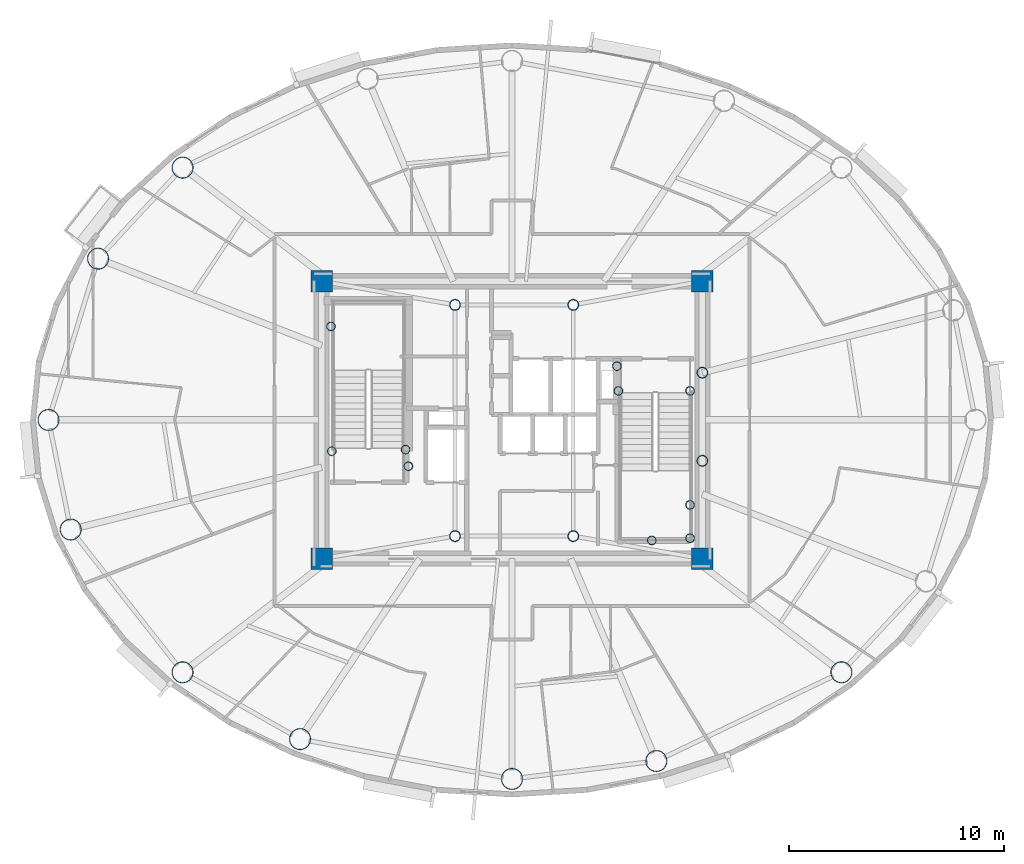
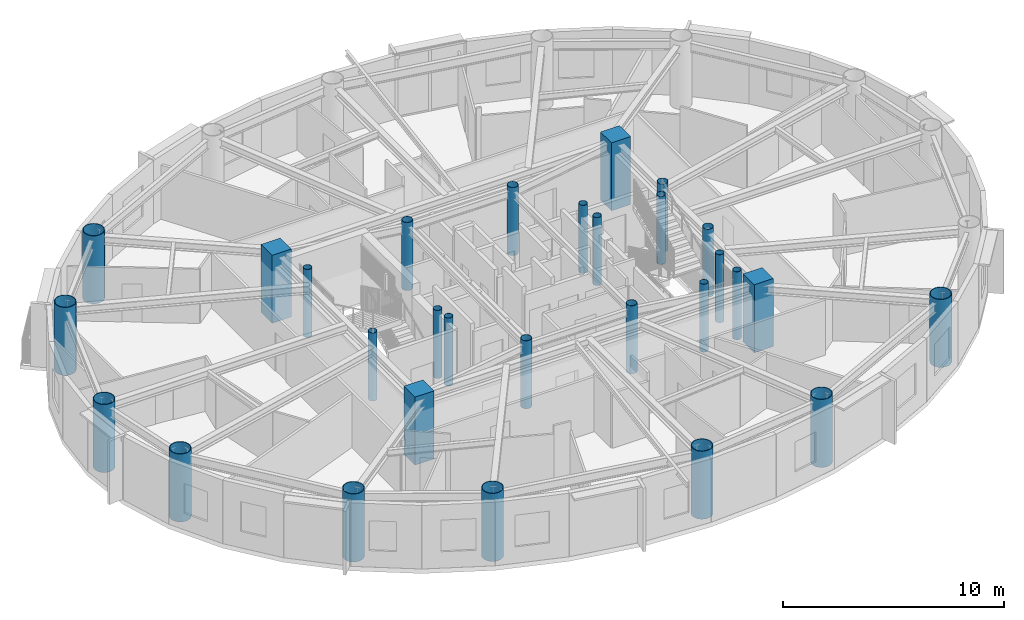
# One storey, part 1 of 17: 29 columns.
"""IFC4 building model written with IfcOpenShell, lengths in metres."""

from ifc_helpers import new_model, si_unit, direction, frame, origin, origin_2d, place, context, subcontext, project, spatial, rectangle, hollow_circle, extrude, material, material_profile, profile_set, type_object, element, save


model = new_model("IFC4")

# Units and contexts
model_context = context("Model", 3, precision=1e-05, world=origin(), true_north=direction((0.0, 1.0)))
body_context = subcontext(model_context, "Body", "Model", "MODEL_VIEW")
ifc_project = project(units=[si_unit("LENGTHUNIT", "METRE"), si_unit("AREAUNIT", "SQUARE_METRE"), si_unit("VOLUMEUNIT", "CUBIC_METRE"), si_unit("PLANEANGLEUNIT", "RADIAN"), si_unit("MASSUNIT", "GRAM", prefix="KILO")], contexts=[model_context])

# Site, building, storey
site_placement = place(None, origin())
site = spatial("IfcSite", under=ifc_project, at=site_placement, CompositionType="ELEMENT")
building_placement = place(site_placement, origin())
building = spatial("IfcBuilding", under=site, at=building_placement, Name="Linh Dai School and Residence Tower", CompositionType="ELEMENT")
storey_placement = place(building_placement, frame((0.0, 0.0, 284.25)))
storey = spatial("IfcBuildingStorey", under=building, at=storey_placement, Name="L70", CompositionType="ELEMENT", Elevation=284.25)

# Columns
ifc_material_1 = material(Name="Concrete B45 (C35/45)", Category="concrete")
ifc_material_profile_1 = material_profile(ifc_material_1, rectangle(XDim=1.0, YDim=1.0, at=origin_2d()), Name="RC 1000x1000")
ifc_profile_set_1 = profile_set([ifc_material_profile_1], Name="Concrete B45 (C35/45)")
column_type_1 = type_object("IfcColumnType", Name="COL-CC3", PredefinedType="COLUMN", material=ifc_profile_set_1)
for number, where, z_axis, x_axis, name in (
    (1, (27.14990234375, 20.550048828125, 0.0), (0.0, 0.0, 1.0), (1.0, 0.0, 0.0), "L70 Core Corner Pier CC1"),
    (2, (44.85009765625, 20.550048828125, 0.0), (0.0, 0.0, 1.0), (1.0, 0.0, 0.0), "L70 Core Corner Pier CC2"),
    (3, (44.85009765625, 33.449951171875, 0.0), (0.0, 0.0, 1.0), (1.0, 0.0, 0.0), "L70 Core Corner Pier CC3"),
    (4, (27.14990234375, 33.449951171875, 0.0), (0.0, 0.0, 1.0), (1.0, 0.0, 0.0), "L70 Core Corner Pier CC4"),
):
    element("IfcColumn", number, at=place(storey_placement, frame(where, z_axis=z_axis, x_axis=x_axis)), inside=storey, type_object=column_type_1, Name=name, PredefinedType="COLUMN", context=body_context, shape_type="SweptSolid", body=[
        extrude(rectangle(XDim=1.0, YDim=1.0, at=origin_2d()), origin(), (0.0, 0.0, 1.0), 3.75),
    ])
ifc_material_2 = material(Name="Structural Steel S355JR", Category="steel")
ifc_material_profile_2 = material_profile(ifc_material_2, hollow_circle(Radius=0.203125, WallThickness=0.01611328125, at=origin_2d()), Name="CHS 406.4x16")
ifc_profile_set_2 = profile_set([ifc_material_profile_2], Name="Structural Steel S355JR")
column_type_2 = type_object("IfcColumnType", Name="COL-EC", PredefinedType="COLUMN", material=ifc_profile_set_2)
for number, where, z_axis, x_axis, name in (
    (5, (27.580078125, 31.35009765625, 0.0), (0.0, 0.0, 1.0), (1.0, 0.0, 0.0), "L70 Stair Shaft Landing Support Pier ST1NW"),
    (6, (31.050048828125, 25.6201171875, 0.0), (0.0, 0.0, 1.0), (1.0, 0.0, 0.0), "L70 Stair Shaft Landing Support Pier ST1SE"),
    (7, (31.179931640625, 24.85009765625, 0.0), (0.0, 0.0, 1.0), (1.0, 0.0, 0.0), "L70 Stair Shaft Landing Support Pier ST1SM"),
    (8, (27.6201171875, 25.550048828125, 0.0), (0.0, 0.0, 1.0), (1.0, 0.0, 0.0), "L70 Stair Shaft Landing Support Pier ST1SW"),
    (9, (44.280029296875, 21.5, 0.0), (0.0, 0.0, 1.0), (1.0, 0.0, 0.0), "L70 Stair Shaft Landing Support Pier ST2SE"),
    (10, (44.280029296875, 23.050048828125, 0.0), (0.0, 0.0, 1.0), (1.0, 0.0, 0.0), "L70 Stair Shaft Landing Support Pier ST2NE"),
    (11, (42.5, 21.39990234375, 0.0), (0.0, 0.0, 1.0), (1.0, 0.0, 0.0), "L70 Stair Shaft Landing Support Pier ST2MS"),
    (12, (40.949951171875, 28.35009765625, 0.0), (0.0, 0.0, 1.0), (1.0, 0.0, 0.0), "L70 Stair Shaft Landing Support Pier ST2N1"),
    (13, (44.280029296875, 28.35009765625, 0.0), (0.0, 0.0, 1.0), (1.0, 0.0, 0.0), "L70 Stair Shaft Landing Support Pier ST2N2"),
    (14, (40.8798828125, 29.5, 0.0), (0.0, 0.0, 1.0), (1.0, 0.0, 0.0), "L70 Stair Shaft Landing Support Pier ST2N3"),
):
    element("IfcColumn", number, at=place(storey_placement, frame(where, z_axis=z_axis, x_axis=x_axis)), inside=storey, type_object=column_type_2, Name=name, PredefinedType="COLUMN", context=body_context, shape_type="SweptSolid", body=[
        extrude(hollow_circle(Radius=0.203125, WallThickness=0.01611328125, at=origin_2d()), origin(), (0.0, 0.0, 1.0), 3.75),
    ])
ifc_material_profile_3 = material_profile(ifc_material_2, hollow_circle(Radius=0.5, WallThickness=0.031982421875, at=origin_2d()), Name="CHS 1000x32")
ifc_profile_set_3 = profile_set([ifc_material_profile_3], Name="Structural Steel S355JR")
column_type_3 = type_object("IfcColumnType", Name="COL-MC6", PredefinedType="COLUMN", material=ifc_profile_set_3)
for number, where, z_axis, x_axis, name in (
    (15, (20.684814453125, 38.7333984375, 0.0), (0.0, 0.0, 1.0), (1.0, 0.0, 0.0), "L70 Perimeter CFT Mega-Column MC07"),
    (16, (16.75390625, 34.49951171875, 0.0), (0.0, 0.0, 1.0), (1.0, 0.0, 0.0), "L70 Perimeter CFT Mega-Column MC08"),
    (17, (14.449951171875, 27.0, 0.0), (0.0, 0.0, 1.0), (1.0, 0.0, 0.0), "L70 Perimeter CFT Mega-Column MC09"),
    (18, (15.4814453125, 21.905517578125, 0.0), (0.0, 0.0, 1.0), (1.0, 0.0, 0.0), "L70 Perimeter CFT Mega-Column MC10"),
    (19, (20.684814453125, 15.2666015625, 0.0), (0.0, 0.0, 1.0), (1.0, 0.0, 0.0), "L70 Perimeter CFT Mega-Column MC11"),
    (20, (26.1455078125, 12.1611328125, 0.0), (0.0, 0.0, 1.0), (1.0, 0.0, 0.0), "L70 Perimeter CFT Mega-Column MC12"),
    (21, (36.0, 10.31005859375, 0.0), (0.0, 0.0, 1.0), (1.0, 0.0, 0.0), "L70 Perimeter CFT Mega-Column MC13"),
    (22, (42.71240234375, 11.142333984375, 0.0), (0.0, 0.0, 1.0), (1.0, 0.0, 0.0), "L70 Perimeter CFT Mega-Column MC14"),
    (23, (51.315185546875, 15.2666015625, 0.0), (0.0, 0.0, 1.0), (1.0, 0.0, 0.0), "L70 Perimeter CFT Mega-Column MC15"),
):
    element("IfcColumn", number, at=place(storey_placement, frame(where, z_axis=z_axis, x_axis=x_axis)), inside=storey, type_object=column_type_3, Name=name, PredefinedType="COLUMN", context=body_context, shape_type="SweptSolid", body=[
        extrude(hollow_circle(Radius=0.5, WallThickness=0.031982421875, at=origin_2d()), origin(), (0.0, 0.0, 1.0), 3.75),
    ])
ifc_material_profile_4 = material_profile(ifc_material_2, hollow_circle(Radius=0.25390625, WallThickness=0.02001953125, at=origin_2d()), Name="CHS 508x20")
ifc_profile_set_4 = profile_set([ifc_material_profile_4], Name="Structural Steel S355JR")
column_type_4 = type_object("IfcColumnType", Name="COL-MCP", PredefinedType="COLUMN", material=ifc_profile_set_4)
for number, where, z_axis, x_axis, name in (
    (24, (33.35009765625, 21.60009765625, 0.0), (0.0, 0.0, 1.0), (1.0, 0.0, 0.0), "L70 Core Mast Support Pier MCP1"),
    (25, (38.85009765625, 21.60009765625, 0.0), (0.0, 0.0, 1.0), (1.0, 0.0, 0.0), "L70 Core Mast Support Pier MCP2"),
    (26, (38.85009765625, 32.35009765625, 0.0), (0.0, 0.0, 1.0), (1.0, 0.0, 0.0), "L70 Core Mast Support Pier MCP3"),
    (27, (33.35009765625, 32.35009765625, 0.0), (0.0, 0.0, 1.0), (1.0, 0.0, 0.0), "L70 Core Mast Support Pier MCP4"),
    (28, (44.85009765625, 25.10009765625, 0.0), (0.0, 0.0, 1.0), (1.0, 0.0, 0.0), "L70 Sky-Lounge Core Anchor Pier S"),
    (29, (44.85009765625, 29.199951171875, 0.0), (0.0, 0.0, 1.0), (1.0, 0.0, 0.0), "L70 Sky-Lounge Core Anchor Pier N"),
):
    element("IfcColumn", number, at=place(storey_placement, frame(where, z_axis=z_axis, x_axis=x_axis)), inside=storey, type_object=column_type_4, Name=name, PredefinedType="COLUMN", context=body_context, shape_type="SweptSolid", body=[
        extrude(hollow_circle(Radius=0.25390625, WallThickness=0.02001953125, at=origin_2d()), origin(), (0.0, 0.0, 1.0), 3.75),
    ])

save(model, "model.ifc")
